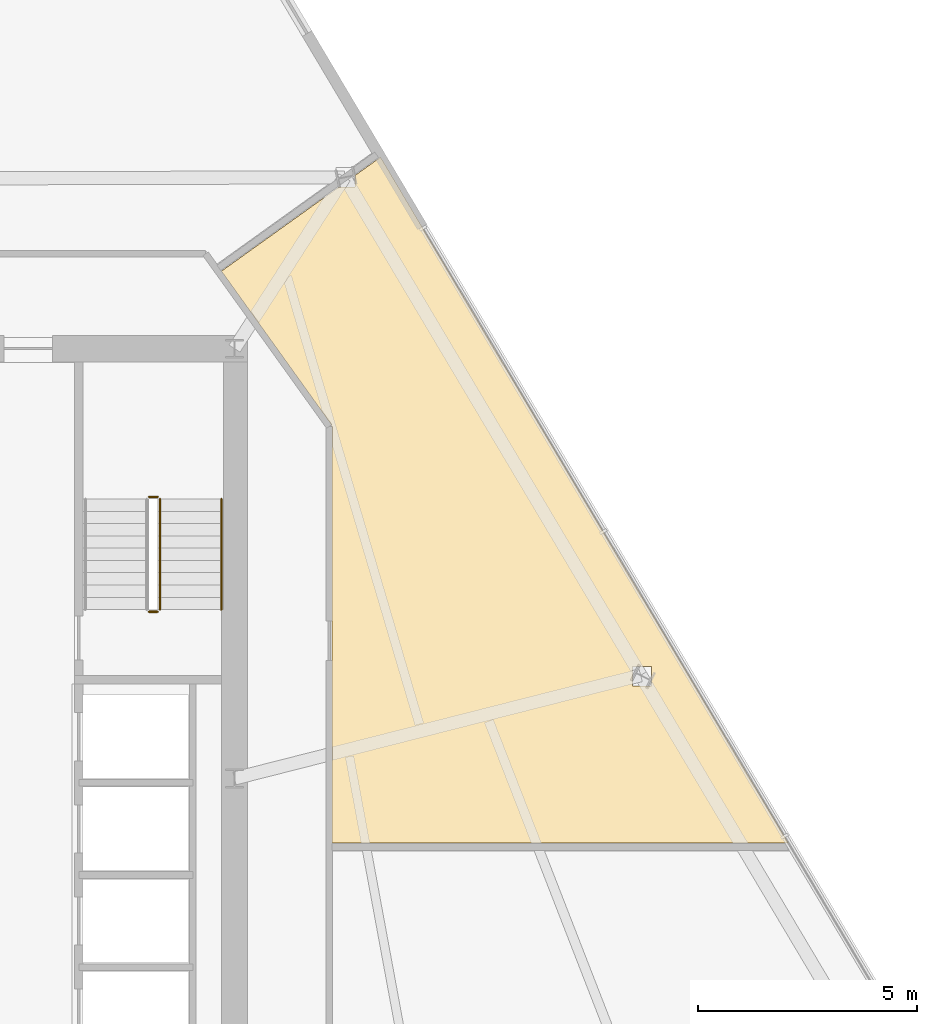
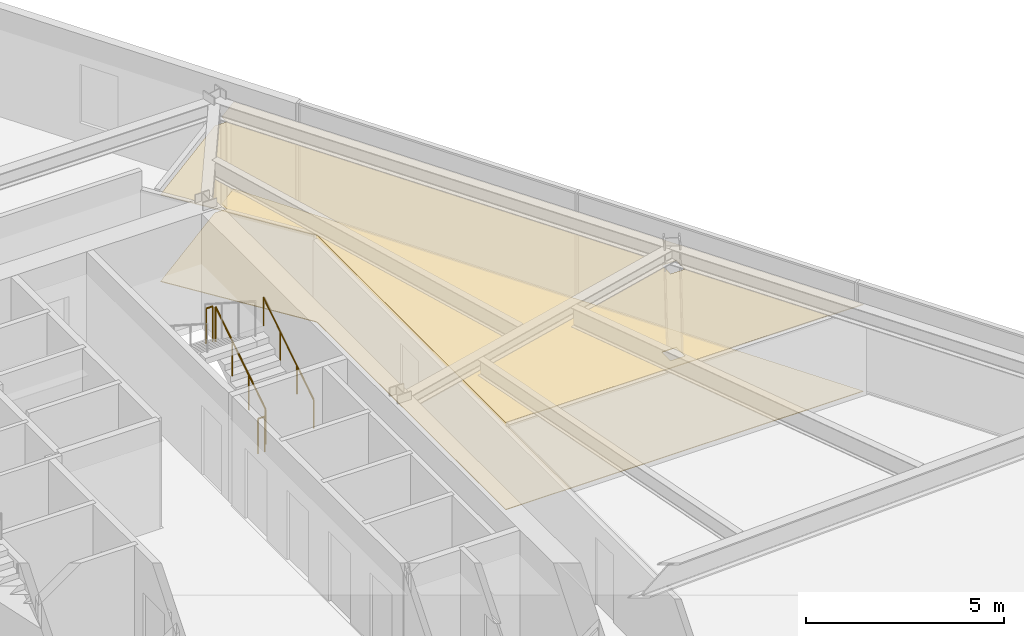
# One storey, part 13 of 15: 4 railings, 2 coverings.
"""IFC4 building model written with IfcOpenShell, lengths in metres."""

from ifc_helpers import new_model, si_unit, direction, frame, origin, origin_2d, place, context, subcontext, project, spatial, polyline, circle, outline, extrude, material, layer, layer_set, type_object, element, save


model = new_model("IFC4")

# Units and contexts
model_context = context("Model", 3, precision=1e-05, world=origin(), true_north=direction((0.0, 1.0)))
body_context = subcontext(model_context, "Body", "Model", "MODEL_VIEW")
ifc_project = project(units=[si_unit("LENGTHUNIT", "METRE"), si_unit("AREAUNIT", "SQUARE_METRE"), si_unit("VOLUMEUNIT", "CUBIC_METRE"), si_unit("PLANEANGLEUNIT", "RADIAN"), si_unit("MASSUNIT", "GRAM", prefix="KILO")], contexts=[model_context])

# Site, building, storey
site_placement = place(None, origin())
site = spatial("IfcSite", under=ifc_project, at=site_placement, CompositionType="ELEMENT")
building_placement = place(site_placement, origin())
building = spatial("IfcBuilding", under=site, at=building_placement, Name="Savorim Split Tower", CompositionType="ELEMENT")
storey_placement = place(building_placement, frame((0.0, 0.0, 82.5)))
storey = spatial("IfcBuildingStorey", under=building, at=storey_placement, Name="L21", CompositionType="ELEMENT", Elevation=82.5)

# Coverings
ifc_material_1 = material(Name="Mineral Fibre Acoustic Ceiling")
ifc_layer_1 = layer(ifc_material_1, 0.02490234375)
ifc_layer_set_1 = layer_set([ifc_layer_1], Name="COV-CEIL-25")
covering_type_1 = type_object("IfcCoveringType", Name="COV-CEIL-25", PredefinedType="CEILING", material=ifc_layer_set_1)
covering_1_placement = place(storey_placement, frame((0.0, 0.0, 2.669921875)))
element("IfcCovering", 1, at=covering_1_placement, inside=storey, type_object=covering_type_1, Name="L21 Co-Working Commons Acoustic Ceiling", PredefinedType="CEILING", context=body_context, shape_type="SweptSolid", body=[
    extrude(outline(polyline([(9.9169921875, 8.4287109375), (9.919189453125, 8.41455078125), (9.919921875, 8.39990234375), (9.919921875, -1.068115234375), (20.32568359375, -1.068115234375), (11.0302734375, 14.564697265625), (10.444580078125, 14.145263671875), (10.444580078125, 13.885986328125), (10.082763671875, 13.885986328125), (7.399169921875, 11.963134765625), (7.399169921875, 11.963134765625), (9.893798828125, 8.4814453125), (9.901611328125, 8.46923828125), (9.908203125, 8.456298828125), (9.913330078125, 8.44287109375), (9.9169921875, 8.4287109375)]), holes=[polyline([(17.20751953125, 2.5126953125), (17.20751953125, 2.95751953125), (16.778564453125, 2.95751953125), (16.778564453125, 2.5126953125), (17.20751953125, 2.5126953125)])]), origin(), (0.0, 0.0, 1.0), 0.025146484375),
])
ifc_material_2 = material(Name="Porcelain Stoneware Flooring", Category="masonry")
ifc_layer_2 = layer(ifc_material_2, 0.02001953125)
ifc_layer_set_2 = layer_set([ifc_layer_2], Name="COV-FLOR-20")
covering_type_2 = type_object("IfcCoveringType", Name="COV-FLOR-20", PredefinedType="FLOORING", material=ifc_layer_set_2)
covering_2_placement = place(storey_placement, origin())
element("IfcCovering", 2, at=covering_2_placement, inside=storey, type_object=covering_type_2, Name="L21 Co-Working Commons Porcelain Flooring", PredefinedType="FLOORING", context=body_context, shape_type="SweptSolid", body=[
    extrude(outline(polyline([(9.9169921875, 8.4287109375), (9.919189453125, 8.41455078125), (9.919921875, 8.39990234375), (9.919921875, -1.068115234375), (20.32568359375, -1.068115234375), (11.0302734375, 14.564697265625), (10.444580078125, 14.145263671875), (10.444580078125, 13.885986328125), (10.082763671875, 13.885986328125), (7.399169921875, 11.963134765625), (7.399169921875, 11.963134765625), (9.893798828125, 8.4814453125), (9.901611328125, 8.46923828125), (9.908203125, 8.456298828125), (9.913330078125, 8.44287109375), (9.9169921875, 8.4287109375)]), holes=[polyline([(17.20751953125, 2.5126953125), (17.20751953125, 2.95751953125), (16.778564453125, 2.95751953125), (16.778564453125, 2.5126953125), (17.20751953125, 2.5126953125)])]), origin(), (0.0, 0.0, 1.0), 0.02001953125),
])

# Railings
ifc_material_3 = material(Name="Galvanised Painted Steel Balustrade", Category="steel")
railing_type_1 = type_object("IfcRailingType", Name="RLG-HR-900", PredefinedType="HANDRAIL", material=ifc_material_3)
railing_1_placement = place(storey_placement, frame((7.39990234375, 4.25, 0.179931640625)))
element("IfcRailing", 3, at=railing_1_placement, inside=storey, type_object=railing_type_1, Name="L21 ST-2 stair handrail 1", PredefinedType="HANDRAIL", context=body_context, shape_type="SweptSolid", body=[
    extrude(circle(Radius=0.02392578125, at=origin_2d()), frame((0.0, 0.0, 0.8759765625), z_axis=(0.0, 0.841162588446, 0.540782303519), x_axis=(-1.0, 0.0, 0.0)), (0.0, 0.0, 1.0), 2.995849609375),
    extrude(circle(Radius=0.02099609375, at=origin_2d()), origin(), (0.0, 0.0, 1.0), 0.851806640625),
    extrude(circle(Radius=0.02099609375, at=origin_2d()), frame((0.0, 0.840087890625, 0.5400390625)), (0.0, 0.0, 1.0), 0.851806640625),
    extrude(circle(Radius=0.02099609375, at=origin_2d()), frame((0.0, 1.679931640625, 1.080078125)), (0.0, 0.0, 1.0), 0.851806640625),
    extrude(circle(Radius=0.02099609375, at=origin_2d()), frame((0.0, 2.52001953125, 1.6201171875)), (0.0, 0.0, 1.0), 0.851806640625),
])
railing_type_2 = type_object("IfcRailingType", Name="RLG-STG-1100", PredefinedType="BALUSTRADE", material=ifc_material_3)
railing_2_placement = place(storey_placement, frame((6.0, 4.25, 0.179931640625)))
element("IfcRailing", 4, at=railing_2_placement, inside=storey, type_object=railing_type_2, Name="L21 ST-2 stair guard 1", PredefinedType="BALUSTRADE", context=body_context, shape_type="SweptSolid", body=[
    extrude(circle(Radius=0.02392578125, at=origin_2d()), frame((0.0, 0.0, 1.076171875), z_axis=(0.0, 0.841162588446, 0.540782303519), x_axis=(-1.0, 0.0, 0.0)), (0.0, 0.0, 1.0), 2.995849609375),
    extrude(circle(Radius=0.02099609375, at=origin_2d()), origin(), (0.0, 0.0, 1.0), 1.052001953125),
    extrude(circle(Radius=0.02099609375, at=origin_2d()), frame((0.0, 0.840087890625, 0.5400390625)), (0.0, 0.0, 1.0), 1.052001953125),
    extrude(circle(Radius=0.02099609375, at=origin_2d()), frame((0.0, 1.679931640625, 1.080078125)), (0.0, 0.0, 1.0), 1.052001953125),
    extrude(circle(Radius=0.02099609375, at=origin_2d()), frame((0.0, 2.52001953125, 1.6201171875)), (0.0, 0.0, 1.0), 1.052001953125),
])
for number, where, name in (
    (5, (5.949951171875, 6.820068359375, 1.800048828125), "L21 ST-2 stair guard 2"),
    (6, (5.949951171875, 4.199951171875, 0.0), "L21 ST-2 stair guard 4"),
):
    element("IfcRailing", number, at=place(storey_placement, frame(where)), inside=storey, type_object=railing_type_2, Name=name, PredefinedType="BALUSTRADE", context=body_context, shape_type="SweptSolid", body=[
        extrude(circle(Radius=0.02392578125, at=origin_2d()), frame((0.0, 0.0, 1.076171875), z_axis=(-1.0, 0.0, 0.0), x_axis=(0.0, -1.0, 0.0)), (0.0, 0.0, 1.0), 0.199951171875),
        extrude(circle(Radius=0.02099609375, at=origin_2d()), origin(), (0.0, 0.0, 1.0), 1.052001953125),
        extrude(circle(Radius=0.02099609375, at=origin_2d()), frame((-0.199951171875, 0.0, 0.0)), (0.0, 0.0, 1.0), 1.052001953125),
    ])

save(model, "model.ifc")
